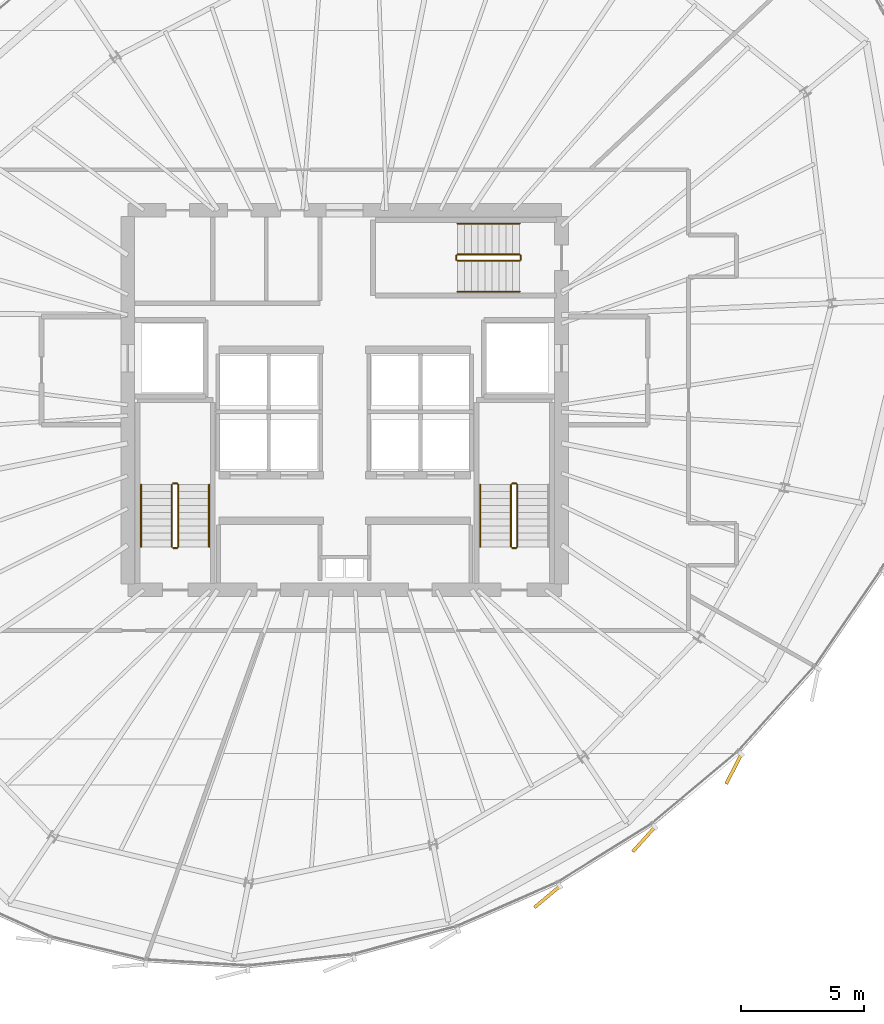
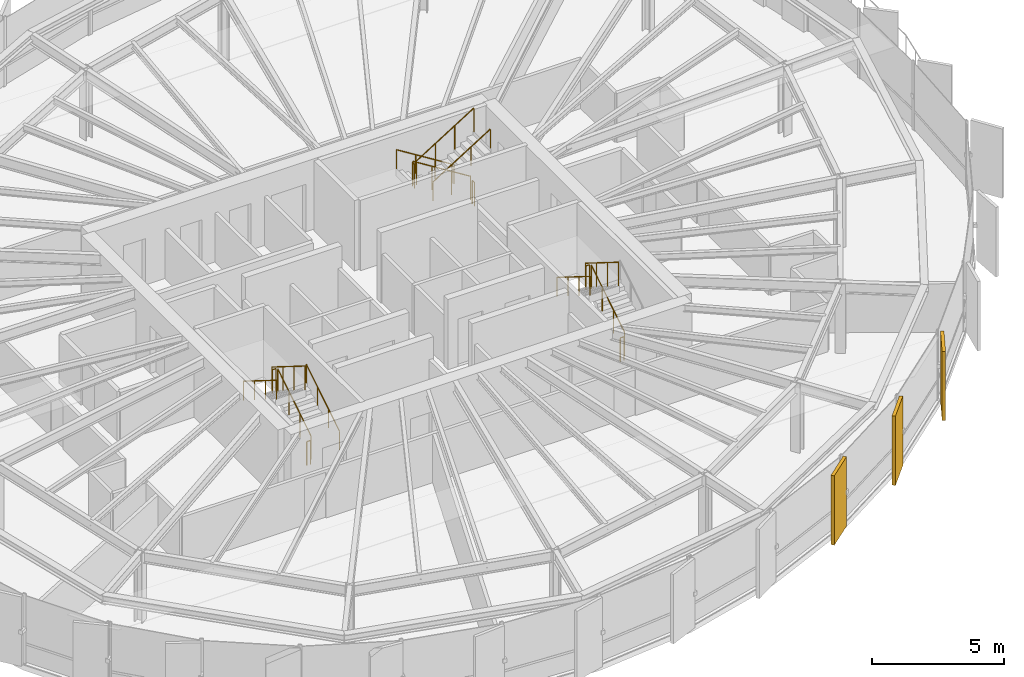
# One storey, part 34 of 35: 17 railings, 3 coverings.
"""IFC4 building model written with IfcOpenShell, lengths in metres."""

from ifc_helpers import new_model, si_unit, direction, frame, origin, origin_2d, place, context, subcontext, project, spatial, rectangle, circle, extrude, source, transform, mapped, material, layer, layer_set, type_object, element, save


model = new_model("IFC4")

# Units and contexts
model_context = context("Model", 3, precision=1e-05, world=origin(), true_north=direction((0.0, 1.0)))
body_context = subcontext(model_context, "Body", "Model", "MODEL_VIEW")
ifc_project = project(units=[si_unit("LENGTHUNIT", "METRE"), si_unit("AREAUNIT", "SQUARE_METRE"), si_unit("VOLUMEUNIT", "CUBIC_METRE"), si_unit("PLANEANGLEUNIT", "RADIAN"), si_unit("MASSUNIT", "GRAM", prefix="KILO"), si_unit("THERMODYNAMICTEMPERATUREUNIT", "KELVIN")], contexts=[model_context])

# Site, building, storey
site_placement = place(None, origin())
site = spatial("IfcSite", under=ifc_project, at=site_placement, CompositionType="ELEMENT")
building_placement = place(site_placement, origin())
building = spatial("IfcBuilding", under=site, at=building_placement, Name="Kethvar Cultural Tower", CompositionType="ELEMENT")
storey_placement = place(building_placement, frame((0.0, 0.0, 179.89990234375)))
storey = spatial("IfcBuildingStorey", under=building, at=storey_placement, Name="L46", CompositionType="ELEMENT", Elevation=179.89990234375)

# Railings
ifc_material_1 = material(Name="Steel S355J2", Category="steel")
railing_type_1 = type_object("IfcRailingType", Name="RL-STAIR-GUARD", PredefinedType="BALUSTRADE", material=ifc_material_1)
railing_1_placement = place(storey_placement, frame((40.050048828125, 21.85009765625, 0.175048828125)))
element("IfcRailing", 1, at=railing_1_placement, inside=storey, type_object=railing_type_1, Name="L46 ST-01 stair guard 1", PredefinedType="BALUSTRADE", context=body_context, shape_type="SweptSolid", body=[
    extrude(circle(Radius=0.02392578125, at=origin_2d()), frame((0.0, 0.0, 1.09619140625), z_axis=(0.0, 0.848007534815, 0.529984170421), x_axis=(-1.0, 0.0, 0.0)), (0.0, 0.0, 1.0), 2.9716796875),
    extrude(circle(Radius=0.02099609375, at=origin_2d()), origin(), (0.0, 0.0, 1.0), 1.072021484375),
    extrude(circle(Radius=0.02099609375, at=origin_2d()), frame((0.0, 0.840087890625, 0.52490234375)), (0.0, 0.0, 1.0), 1.072021484375),
    extrude(circle(Radius=0.02099609375, at=origin_2d()), frame((0.0, 1.679931640625, 1.050048828125)), (0.0, 0.0, 1.0), 1.072021484375),
    extrude(circle(Radius=0.02099609375, at=origin_2d()), frame((0.0, 2.52001953125, 1.574951171875)), (0.0, 0.0, 1.0), 1.072021484375),
])
railing_2_placement = place(storey_placement, frame((40.0, 24.419921875, 1.75)))
element("IfcRailing", 2, at=railing_2_placement, inside=storey, type_object=railing_type_1, Name="L46 ST-01 stair guard 2", PredefinedType="BALUSTRADE", context=body_context, shape_type="SweptSolid", body=[
    extrude(circle(Radius=0.02392578125, at=origin_2d()), frame((0.0, 0.0, 1.09619140625), z_axis=(-1.0, 0.0, 0.0), x_axis=(0.0, -1.0, 0.0)), (0.0, 0.0, 1.0), 0.159912109375),
    extrude(circle(Radius=0.02099609375, at=origin_2d()), origin(), (0.0, 0.0, 1.0), 1.072021484375),
    extrude(circle(Radius=0.02099609375, at=origin_2d()), frame((-0.159912109375, 0.0, 0.0)), (0.0, 0.0, 1.0), 1.072021484375),
])
railing_3_placement = place(storey_placement, frame((39.7900390625, 24.3701171875, 1.925048828125)))
element("IfcRailing", 3, at=railing_3_placement, inside=storey, type_object=railing_type_1, Name="L46 ST-01 stair guard 3", PredefinedType="BALUSTRADE", context=body_context, shape_type="SweptSolid", body=[
    extrude(circle(Radius=0.02392578125, at=origin_2d()), frame((0.0, 0.0, 1.09619140625), z_axis=(0.0, -0.848007534815, 0.529984170421), x_axis=(1.0, 0.0, 0.0)), (0.0, 0.0, 1.0), 2.9716796875),
    extrude(circle(Radius=0.02099609375, at=origin_2d()), origin(), (0.0, 0.0, 1.0), 1.072021484375),
    extrude(circle(Radius=0.02099609375, at=origin_2d()), frame((0.0, -0.840087890625, 0.52490234375)), (0.0, 0.0, 1.0), 1.072021484375),
    extrude(circle(Radius=0.02099609375, at=origin_2d()), frame((0.0, -1.679931640625, 1.050048828125)), (0.0, 0.0, 1.0), 1.072021484375),
    extrude(circle(Radius=0.02099609375, at=origin_2d()), frame((0.0, -2.52001953125, 1.574951171875)), (0.0, 0.0, 1.0), 1.072021484375),
])
railing_4_placement = place(storey_placement, frame((40.0, 21.800048828125, 0.0)))
element("IfcRailing", 4, at=railing_4_placement, inside=storey, type_object=railing_type_1, Name="L46 ST-01 stair guard 4", PredefinedType="BALUSTRADE", context=body_context, shape_type="SweptSolid", body=[
    extrude(circle(Radius=0.02392578125, at=origin_2d()), frame((0.0, 0.0, 1.09619140625), z_axis=(-1.0, 0.0, 0.0), x_axis=(0.0, -1.0, 0.0)), (0.0, 0.0, 1.0), 0.159912109375),
    extrude(circle(Radius=0.02099609375, at=origin_2d()), origin(), (0.0, 0.0, 1.0), 1.072021484375),
    extrude(circle(Radius=0.02099609375, at=origin_2d()), frame((-0.159912109375, 0.0, 0.0)), (0.0, 0.0, 1.0), 1.072021484375),
])
railing_5_placement = place(storey_placement, frame((53.81005859375, 21.85009765625, 0.175048828125)))
element("IfcRailing", 5, at=railing_5_placement, inside=storey, type_object=railing_type_1, Name="L46 ST-02 stair guard 1", PredefinedType="BALUSTRADE", context=body_context, shape_type="SweptSolid", body=[
    extrude(circle(Radius=0.02392578125, at=origin_2d()), frame((0.0, 0.0, 1.09619140625), z_axis=(0.0, 0.848007534815, 0.529984170421), x_axis=(-1.0, 0.0, 0.0)), (0.0, 0.0, 1.0), 2.9716796875),
    extrude(circle(Radius=0.02099609375, at=origin_2d()), origin(), (0.0, 0.0, 1.0), 1.072021484375),
    extrude(circle(Radius=0.02099609375, at=origin_2d()), frame((0.0, 0.840087890625, 0.52490234375)), (0.0, 0.0, 1.0), 1.072021484375),
    extrude(circle(Radius=0.02099609375, at=origin_2d()), frame((0.0, 1.679931640625, 1.050048828125)), (0.0, 0.0, 1.0), 1.072021484375),
    extrude(circle(Radius=0.02099609375, at=origin_2d()), frame((0.0, 2.52001953125, 1.574951171875)), (0.0, 0.0, 1.0), 1.072021484375),
])
railing_6_placement = place(storey_placement, frame((53.760009765625, 24.419921875, 1.75)))
element("IfcRailing", 6, at=railing_6_placement, inside=storey, type_object=railing_type_1, Name="L46 ST-02 stair guard 2", PredefinedType="BALUSTRADE", context=body_context, shape_type="SweptSolid", body=[
    extrude(circle(Radius=0.02392578125, at=origin_2d()), frame((0.0, 0.0, 1.09619140625), z_axis=(-1.0, 0.0, 0.0), x_axis=(0.0, -1.0, 0.0)), (0.0, 0.0, 1.0), 0.159912109375),
    extrude(circle(Radius=0.02099609375, at=origin_2d()), origin(), (0.0, 0.0, 1.0), 1.072021484375),
    extrude(circle(Radius=0.02099609375, at=origin_2d()), frame((-0.159912109375, 0.0, 0.0)), (0.0, 0.0, 1.0), 1.072021484375),
])
railing_7_placement = place(storey_placement, frame((53.550048828125, 24.3701171875, 1.925048828125)))
element("IfcRailing", 7, at=railing_7_placement, inside=storey, type_object=railing_type_1, Name="L46 ST-02 stair guard 3", PredefinedType="BALUSTRADE", context=body_context, shape_type="SweptSolid", body=[
    extrude(circle(Radius=0.02392578125, at=origin_2d()), frame((0.0, 0.0, 1.09619140625), z_axis=(0.0, -0.848007534815, 0.529984170421), x_axis=(1.0, 0.0, 0.0)), (0.0, 0.0, 1.0), 2.9716796875),
    extrude(circle(Radius=0.02099609375, at=origin_2d()), origin(), (0.0, 0.0, 1.0), 1.072021484375),
    extrude(circle(Radius=0.02099609375, at=origin_2d()), frame((0.0, -0.840087890625, 0.52490234375)), (0.0, 0.0, 1.0), 1.072021484375),
    extrude(circle(Radius=0.02099609375, at=origin_2d()), frame((0.0, -1.679931640625, 1.050048828125)), (0.0, 0.0, 1.0), 1.072021484375),
    extrude(circle(Radius=0.02099609375, at=origin_2d()), frame((0.0, -2.52001953125, 1.574951171875)), (0.0, 0.0, 1.0), 1.072021484375),
])
railing_8_placement = place(storey_placement, frame((53.760009765625, 21.800048828125, 0.0)))
element("IfcRailing", 8, at=railing_8_placement, inside=storey, type_object=railing_type_1, Name="L46 ST-02 stair guard 4", PredefinedType="BALUSTRADE", context=body_context, shape_type="SweptSolid", body=[
    extrude(circle(Radius=0.02392578125, at=origin_2d()), frame((0.0, 0.0, 1.09619140625), z_axis=(-1.0, 0.0, 0.0), x_axis=(0.0, -1.0, 0.0)), (0.0, 0.0, 1.0), 0.159912109375),
    extrude(circle(Radius=0.02099609375, at=origin_2d()), origin(), (0.0, 0.0, 1.0), 1.072021484375),
    extrude(circle(Radius=0.02099609375, at=origin_2d()), frame((-0.159912109375, 0.0, 0.0)), (0.0, 0.0, 1.0), 1.072021484375),
])
railing_9_placement = place(storey_placement, frame((53.89990234375, 33.7099609375, 0.175048828125)))
element("IfcRailing", 9, at=railing_9_placement, inside=storey, type_object=railing_type_1, Name="L46 ST-03 stair guard 1", PredefinedType="BALUSTRADE", context=body_context, shape_type="SweptSolid", body=[
    extrude(circle(Radius=0.02392578125, at=origin_2d()), frame((0.0, 0.0, 1.09619140625), z_axis=(-0.848007534815, 0.0, 0.529984170421), x_axis=(0.0, -1.0, 0.0)), (0.0, 0.0, 1.0), 2.9716796875),
    extrude(circle(Radius=0.02099609375, at=origin_2d()), origin(), (0.0, 0.0, 1.0), 1.072021484375),
    extrude(circle(Radius=0.02099609375, at=origin_2d()), frame((-0.840087890625, 0.0, 0.52490234375)), (0.0, 0.0, 1.0), 1.072021484375),
    extrude(circle(Radius=0.02099609375, at=origin_2d()), frame((-1.679931640625, 0.0, 1.050048828125)), (0.0, 0.0, 1.0), 1.072021484375),
    extrude(circle(Radius=0.02099609375, at=origin_2d()), frame((-2.52001953125, 0.0, 1.574951171875)), (0.0, 0.0, 1.0), 1.072021484375),
])
railing_10_placement = place(storey_placement, frame((51.330078125, 33.659912109375, 1.75)))
element("IfcRailing", 10, at=railing_10_placement, inside=storey, type_object=railing_type_1, Name="L46 ST-03 stair guard 2", PredefinedType="BALUSTRADE", context=body_context, shape_type="SweptSolid", body=[
    extrude(circle(Radius=0.02392578125, at=origin_2d()), frame((0.0, 0.0, 1.09619140625), z_axis=(0.0, -1.0, 0.0), x_axis=(1.0, 0.0, 0.0)), (0.0, 0.0, 1.0), 0.159912109375),
    extrude(circle(Radius=0.02099609375, at=origin_2d()), origin(), (0.0, 0.0, 1.0), 1.072021484375),
    extrude(circle(Radius=0.02099609375, at=origin_2d()), frame((0.0, -0.159912109375, 0.0)), (0.0, 0.0, 1.0), 1.072021484375),
])
railing_11_placement = place(storey_placement, frame((51.3798828125, 33.449951171875, 1.925048828125)))
element("IfcRailing", 11, at=railing_11_placement, inside=storey, type_object=railing_type_1, Name="L46 ST-03 stair guard 3", PredefinedType="BALUSTRADE", context=body_context, shape_type="SweptSolid", body=[
    extrude(circle(Radius=0.02392578125, at=origin_2d()), frame((0.0, 0.0, 1.09619140625), z_axis=(0.848007534815, 0.0, 0.529984170421), x_axis=(0.0, 1.0, 0.0)), (0.0, 0.0, 1.0), 2.9716796875),
    extrude(circle(Radius=0.02099609375, at=origin_2d()), origin(), (0.0, 0.0, 1.0), 1.072021484375),
    extrude(circle(Radius=0.02099609375, at=origin_2d()), frame((0.840087890625, 0.0, 0.52490234375)), (0.0, 0.0, 1.0), 1.072021484375),
    extrude(circle(Radius=0.02099609375, at=origin_2d()), frame((1.679931640625, 0.0, 1.050048828125)), (0.0, 0.0, 1.0), 1.072021484375),
    extrude(circle(Radius=0.02099609375, at=origin_2d()), frame((2.52001953125, 0.0, 1.574951171875)), (0.0, 0.0, 1.0), 1.072021484375),
])
railing_12_placement = place(storey_placement, frame((53.949951171875, 33.659912109375, 0.0)))
element("IfcRailing", 12, at=railing_12_placement, inside=storey, type_object=railing_type_1, Name="L46 ST-03 stair guard 4", PredefinedType="BALUSTRADE", context=body_context, shape_type="SweptSolid", body=[
    extrude(circle(Radius=0.02392578125, at=origin_2d()), frame((0.0, 0.0, 1.09619140625), z_axis=(0.0, -1.0, 0.0), x_axis=(1.0, 0.0, 0.0)), (0.0, 0.0, 1.0), 0.159912109375),
    extrude(circle(Radius=0.02099609375, at=origin_2d()), origin(), (0.0, 0.0, 1.0), 1.072021484375),
    extrude(circle(Radius=0.02099609375, at=origin_2d()), frame((0.0, -0.159912109375, 0.0)), (0.0, 0.0, 1.0), 1.072021484375),
])
railing_type_2 = type_object("IfcRailingType", Name="RL-STAIR-HANDRAIL", PredefinedType="HANDRAIL", material=ifc_material_1)
railing_13_placement = place(storey_placement, frame((41.300048828125, 21.85009765625, 0.175048828125)))
element("IfcRailing", 13, at=railing_13_placement, inside=storey, type_object=railing_type_2, Name="L46 ST-01 stair handrail 1", PredefinedType="HANDRAIL", context=body_context, shape_type="SweptSolid", body=[
    extrude(circle(Radius=0.02392578125, at=origin_2d()), frame((0.0, 0.0, 0.8759765625), z_axis=(0.0, 0.848007534815, 0.529984170421), x_axis=(-1.0, 0.0, 0.0)), (0.0, 0.0, 1.0), 2.9716796875),
    extrude(circle(Radius=0.02099609375, at=origin_2d()), origin(), (0.0, 0.0, 1.0), 0.851806640625),
    extrude(circle(Radius=0.02099609375, at=origin_2d()), frame((0.0, 0.840087890625, 0.52490234375)), (0.0, 0.0, 1.0), 0.851806640625),
    extrude(circle(Radius=0.02099609375, at=origin_2d()), frame((0.0, 1.679931640625, 1.050048828125)), (0.0, 0.0, 1.0), 0.851806640625),
    extrude(circle(Radius=0.02099609375, at=origin_2d()), frame((0.0, 2.52001953125, 1.574951171875)), (0.0, 0.0, 1.0), 0.851806640625),
])
for number, where, name in (
    (14, (38.5400390625, 24.3701171875, 1.925048828125), "L46 ST-01 stair handrail 2"),
    (15, (52.300048828125, 24.3701171875, 1.925048828125), "L46 ST-02 stair handrail 2"),
):
    element("IfcRailing", number, at=place(storey_placement, frame(where)), inside=storey, type_object=railing_type_2, Name=name, PredefinedType="HANDRAIL", context=body_context, shape_type="SweptSolid", body=[
        extrude(circle(Radius=0.02392578125, at=origin_2d()), frame((0.0, 0.0, 0.8759765625), z_axis=(0.0, -0.848007534815, 0.529984170421), x_axis=(1.0, 0.0, 0.0)), (0.0, 0.0, 1.0), 2.9716796875),
        extrude(circle(Radius=0.02099609375, at=origin_2d()), origin(), (0.0, 0.0, 1.0), 0.851806640625),
        extrude(circle(Radius=0.02099609375, at=origin_2d()), frame((0.0, -0.840087890625, 0.52490234375)), (0.0, 0.0, 1.0), 0.851806640625),
        extrude(circle(Radius=0.02099609375, at=origin_2d()), frame((0.0, -1.679931640625, 1.050048828125)), (0.0, 0.0, 1.0), 0.851806640625),
        extrude(circle(Radius=0.02099609375, at=origin_2d()), frame((0.0, -2.52001953125, 1.574951171875)), (0.0, 0.0, 1.0), 0.851806640625),
    ])
railing_14_placement = place(storey_placement, frame((53.89990234375, 34.9599609375, 0.175048828125)))
element("IfcRailing", 16, at=railing_14_placement, inside=storey, type_object=railing_type_2, Name="L46 ST-03 stair handrail 1", PredefinedType="HANDRAIL", context=body_context, shape_type="SweptSolid", body=[
    extrude(circle(Radius=0.02392578125, at=origin_2d()), frame((0.0, 0.0, 0.8759765625), z_axis=(-0.848007534815, 0.0, 0.529984170421), x_axis=(0.0, -1.0, 0.0)), (0.0, 0.0, 1.0), 2.9716796875),
    extrude(circle(Radius=0.02099609375, at=origin_2d()), origin(), (0.0, 0.0, 1.0), 0.851806640625),
    extrude(circle(Radius=0.02099609375, at=origin_2d()), frame((-0.840087890625, 0.0, 0.52490234375)), (0.0, 0.0, 1.0), 0.851806640625),
    extrude(circle(Radius=0.02099609375, at=origin_2d()), frame((-1.679931640625, 0.0, 1.050048828125)), (0.0, 0.0, 1.0), 0.851806640625),
    extrude(circle(Radius=0.02099609375, at=origin_2d()), frame((-2.52001953125, 0.0, 1.574951171875)), (0.0, 0.0, 1.0), 0.851806640625),
])
railing_15_placement = place(storey_placement, frame((51.3798828125, 32.199951171875, 1.925048828125)))
element("IfcRailing", 17, at=railing_15_placement, inside=storey, type_object=railing_type_2, Name="L46 ST-03 stair handrail 2", PredefinedType="HANDRAIL", context=body_context, shape_type="SweptSolid", body=[
    extrude(circle(Radius=0.02392578125, at=origin_2d()), frame((0.0, 0.0, 0.8759765625), z_axis=(0.848007534815, 0.0, 0.529984170421), x_axis=(0.0, 1.0, 0.0)), (0.0, 0.0, 1.0), 2.9716796875),
    extrude(circle(Radius=0.02099609375, at=origin_2d()), origin(), (0.0, 0.0, 1.0), 0.851806640625),
    extrude(circle(Radius=0.02099609375, at=origin_2d()), frame((0.840087890625, 0.0, 0.52490234375)), (0.0, 0.0, 1.0), 0.851806640625),
    extrude(circle(Radius=0.02099609375, at=origin_2d()), frame((1.679931640625, 0.0, 1.050048828125)), (0.0, 0.0, 1.0), 0.851806640625),
    extrude(circle(Radius=0.02099609375, at=origin_2d()), frame((2.52001953125, 0.0, 1.574951171875)), (0.0, 0.0, 1.0), 0.851806640625),
])

# Coverings
ifc_material_2 = material(Name="Extruded Architectural Terracotta", Category="masonry")
ifc_layer = layer(ifc_material_2, 0.135009765625, Name="Extruded Architectural Terracotta", Category="masonry")
ifc_layer_set = layer_set([ifc_layer], Name="Extruded Architectural Terracotta (135 mm)")
covering_type = type_object("IfcCoveringType", Name="Terracotta Facade Fin FIN-03", PredefinedType="CLADDING", material=ifc_layer_set)
shared_shape = source(origin(), body_context, "Body", "SweptSolid", [
    extrude(rectangle(XDim=1.35009765625, YDim=0.135009765625, at=origin_2d()), origin(), (0.0, 0.0, 1.0), 3.219970703125),
])
for number, where, z_axis, x_axis, name in (
    (18, (55.017822265625, 7.6455078125, 0.02001953125), (0.0, 0.0, 1.0), (-0.767165151815, -0.641449631569, 0.0), "L46 Vertical Terracotta Fin 5.3"),
    (19, (58.940185546875, 9.97705078125, 0.02001953125), (0.0, 0.0, 1.0), (-0.668222184522, -0.74396176791, 0.0), "L46 Vertical Terracotta Fin 5.4"),
    (20, (62.58837890625, 12.82861328125, 0.02001953125), (0.0, 0.0, 1.0), (-0.457408364087, -0.889256761832, 0.0), "L46 Vertical Terracotta Fin 5.5"),
):
    element("IfcCovering", number, at=place(storey_placement, frame(where, z_axis=z_axis, x_axis=x_axis)), inside=storey, type_object=covering_type, Name=name, PredefinedType="CLADDING", context=body_context, shape_type="MappedRepresentation", body=[
        mapped(shared_shape, transform((0.0, 0.0, 0.0), scale=1.0)),
    ])

save(model, "model.ifc")
